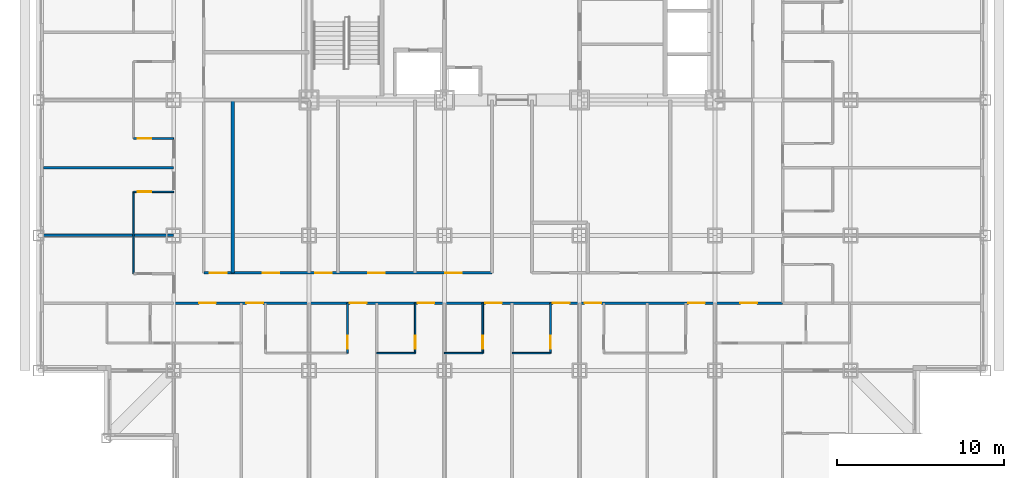
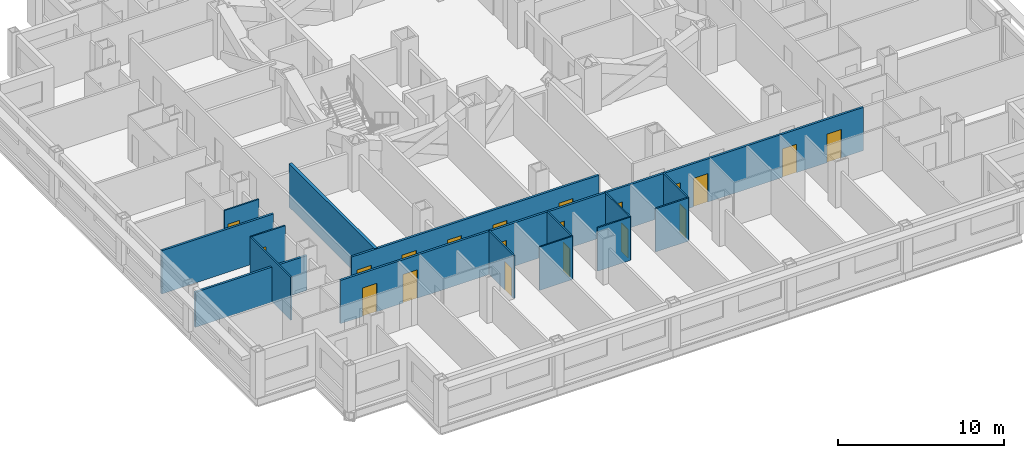
# One storey, part 4 of 12: 20 doors, 15 walls, 20 openings.
"""IFC4 building model written with IfcOpenShell, lengths in metres."""

from ifc_helpers import new_model, si_unit, direction, frame, frame_2d, origin, place, context, subcontext, project, spatial, rectangle, extrude, material, layer, layer_set, type_object, element, fill, save


model = new_model("IFC4")

# Units and contexts
model_context = context("Model", 3, precision=1e-05, world=origin(), true_north=direction((0.0, 1.0)))
body_context = subcontext(model_context, "Body", "Model", "MODEL_VIEW")
ifc_project = project(units=[si_unit("LENGTHUNIT", "METRE"), si_unit("AREAUNIT", "SQUARE_METRE"), si_unit("VOLUMEUNIT", "CUBIC_METRE"), si_unit("PLANEANGLEUNIT", "RADIAN"), si_unit("MASSUNIT", "GRAM", prefix="KILO")], contexts=[model_context])

# Site, building, storey
site_placement = place(None, origin())
site = spatial("IfcSite", under=ifc_project, at=site_placement, CompositionType="ELEMENT")
building_placement = place(site_placement, origin())
building = spatial("IfcBuilding", under=site, at=building_placement, Name="Kopane Lantern Tower", CompositionType="ELEMENT")
storey_placement = place(building_placement, frame((0.0, 0.0, 70.39990234375)))
storey = spatial("IfcBuildingStorey", under=building, at=storey_placement, Name="L17", CompositionType="ELEMENT", Elevation=70.39990234375)

# Wall, opening, door
ifc_material_1 = material(Name="Moisture-resistant board on steel studs", Category="steel")
ifc_layer_1 = layer(ifc_material_1, 0.10009765625)
ifc_layer_set_1 = layer_set([ifc_layer_1], Name="BATHROOM WALL 100")
wall_type_1 = type_object("IfcWallType", Name="BATHROOM WALL 100", PredefinedType="PARTITIONING", material=ifc_layer_set_1)
wall_1_placement = place(storey_placement, frame((18.5, 12.14990234375, 0.0), z_axis=(0.0, 0.0, 1.0), x_axis=(0.0, -1.0, 0.0)))
wall_1 = element("IfcWall", 1, at=wall_1_placement, inside=storey, type_object=wall_type_1, Name="Bathroom Wall 100 L17", PredefinedType="PARTITIONING", context=body_context, shape_type="SweptSolid", body=[
    extrude(rectangle(XDim=3.0, YDim=0.10009765625, at=frame_2d((1.5, 0.0))), origin(), (0.0, 0.0, 1.0), 3.190185546875),
])
opening_1_placement = place(wall_1_placement, frame((1.949951171875, 0.0, 0.0)))
opening_1 = element("IfcOpeningElement", 2, at=opening_1_placement, cuts=wall_1, Name="Opening L17-017", PredefinedType="OPENING", context=body_context, shape_type="SweptSolid", body=[
    extrude(rectangle(XDim=0.800048828125, YDim=2.10009765625, at=frame_2d((0.39990234375, 1.050048828125))), frame((0.0, 0.06005859375, 0.0), z_axis=(0.0, -1.0, 0.0), x_axis=(1.0, 0.0, 0.0)), (0.0, 0.0, 1.0), 0.1201171875),
])
ifc_material_2 = material(Name="Timber door set", Category="wood")
door_type_1 = type_object("IfcDoorType", Name="DOOR D2 800x2100", OperationType="SINGLE_SWING_LEFT", PredefinedType="DOOR", material=ifc_material_2)
door_1_placement = place(opening_1_placement, origin())
door_1 = element("IfcDoor", 3, at=door_1_placement, inside=storey, type_object=door_type_1, Name="Door L17-017", OperationType="SINGLE_SWING_LEFT", OverallHeight=2.10009765625, OverallWidth=0.800048828125, PredefinedType="DOOR", context=body_context, shape_type="SweptSolid", body=[
    extrude(rectangle(XDim=0.800048828125, YDim=2.10009765625, at=frame_2d((0.39990234375, 1.050048828125))), frame((0.0, 0.02490234375, 0.0), z_axis=(0.0, -1.0, 0.0), x_axis=(1.0, 0.0, 0.0)), (0.0, 0.0, 1.0), 0.050048828125),
])
fill(opening_1, door_1)

# Wall
wall_2_placement = place(storey_placement, frame((20.25, 9.14990234375, 0.0), z_axis=(0.0, 0.0, 1.0), x_axis=(1.0, 0.0, 0.0)))
element("IfcWall", 4, at=wall_2_placement, inside=storey, type_object=wall_type_1, Name="Bathroom Wall 100 L17", PredefinedType="PARTITIONING", context=body_context, shape_type="SweptSolid", body=[
    extrude(rectangle(XDim=2.300048828125, YDim=0.10009765625, at=frame_2d((1.14990234375, 0.0))), origin(), (0.0, 0.0, 1.0), 3.190185546875),
])

# Wall, opening, door
wall_3_placement = place(storey_placement, frame((22.550048828125, 12.14990234375, 0.0), z_axis=(0.0, 0.0, 1.0), x_axis=(0.0, -1.0, 0.0)))
wall_3 = element("IfcWall", 5, at=wall_3_placement, inside=storey, type_object=wall_type_1, Name="Bathroom Wall 100 L17", PredefinedType="PARTITIONING", context=body_context, shape_type="SweptSolid", body=[
    extrude(rectangle(XDim=3.0, YDim=0.10009765625, at=frame_2d((1.5, 0.0))), origin(), (0.0, 0.0, 1.0), 3.190185546875),
])
opening_2_placement = place(wall_3_placement, frame((1.949951171875, 0.0, 0.0)))
opening_2 = element("IfcOpeningElement", 6, at=opening_2_placement, cuts=wall_3, Name="Opening L17-019", PredefinedType="OPENING", context=body_context, shape_type="SweptSolid", body=[
    extrude(rectangle(XDim=0.800048828125, YDim=2.10009765625, at=frame_2d((0.39990234375, 1.050048828125))), frame((0.0, 0.06005859375, 0.0), z_axis=(0.0, -1.0, 0.0), x_axis=(1.0, 0.0, 0.0)), (0.0, 0.0, 1.0), 0.1201171875),
])
door_2_placement = place(opening_2_placement, origin())
door_2 = element("IfcDoor", 7, at=door_2_placement, inside=storey, type_object=door_type_1, Name="Door L17-019", OperationType="SINGLE_SWING_LEFT", OverallHeight=2.10009765625, OverallWidth=0.800048828125, PredefinedType="DOOR", context=body_context, shape_type="SweptSolid", body=[
    extrude(rectangle(XDim=0.800048828125, YDim=2.10009765625, at=frame_2d((0.39990234375, 1.050048828125))), frame((0.0, 0.02490234375, 0.0), z_axis=(0.0, -1.0, 0.0), x_axis=(1.0, 0.0, 0.0)), (0.0, 0.0, 1.0), 0.050048828125),
])
fill(opening_2, door_2)

# Wall
wall_4_placement = place(storey_placement, frame((24.300048828125, 9.14990234375, 0.0), z_axis=(0.0, 0.0, 1.0), x_axis=(1.0, 0.0, 0.0)))
element("IfcWall", 8, at=wall_4_placement, inside=storey, type_object=wall_type_1, Name="Bathroom Wall 100 L17", PredefinedType="PARTITIONING", context=body_context, shape_type="SweptSolid", body=[
    extrude(rectangle(XDim=2.300048828125, YDim=0.10009765625, at=frame_2d((1.14990234375, 0.0))), origin(), (0.0, 0.0, 1.0), 3.190185546875),
])

# Wall, opening, door
wall_5_placement = place(storey_placement, frame((26.60009765625, 12.14990234375, 0.0), z_axis=(0.0, 0.0, 1.0), x_axis=(0.0, -1.0, 0.0)))
wall_5 = element("IfcWall", 9, at=wall_5_placement, inside=storey, type_object=wall_type_1, Name="Bathroom Wall 100 L17", PredefinedType="PARTITIONING", context=body_context, shape_type="SweptSolid", body=[
    extrude(rectangle(XDim=3.0, YDim=0.10009765625, at=frame_2d((1.5, 0.0))), origin(), (0.0, 0.0, 1.0), 3.190185546875),
])
opening_3_placement = place(wall_5_placement, frame((1.949951171875, 0.0, 0.0)))
opening_3 = element("IfcOpeningElement", 10, at=opening_3_placement, cuts=wall_5, Name="Opening L17-021", PredefinedType="OPENING", context=body_context, shape_type="SweptSolid", body=[
    extrude(rectangle(XDim=0.800048828125, YDim=2.10009765625, at=frame_2d((0.39990234375, 1.050048828125))), frame((0.0, 0.06005859375, 0.0), z_axis=(0.0, -1.0, 0.0), x_axis=(1.0, 0.0, 0.0)), (0.0, 0.0, 1.0), 0.1201171875),
])
door_3_placement = place(opening_3_placement, origin())
door_3 = element("IfcDoor", 11, at=door_3_placement, inside=storey, type_object=door_type_1, Name="Door L17-021", OperationType="SINGLE_SWING_LEFT", OverallHeight=2.10009765625, OverallWidth=0.800048828125, PredefinedType="DOOR", context=body_context, shape_type="SweptSolid", body=[
    extrude(rectangle(XDim=0.800048828125, YDim=2.10009765625, at=frame_2d((0.39990234375, 1.050048828125))), frame((0.0, 0.02490234375, 0.0), z_axis=(0.0, -1.0, 0.0), x_axis=(1.0, 0.0, 0.0)), (0.0, 0.0, 1.0), 0.050048828125),
])
fill(opening_3, door_3)

# Wall
wall_6_placement = place(storey_placement, frame((28.35009765625, 9.14990234375, 0.0), z_axis=(0.0, 0.0, 1.0), x_axis=(1.0, 0.0, 0.0)))
element("IfcWall", 12, at=wall_6_placement, inside=storey, type_object=wall_type_1, Name="Bathroom Wall 100 L17", PredefinedType="PARTITIONING", context=body_context, shape_type="SweptSolid", body=[
    extrude(rectangle(XDim=2.2998046875, YDim=0.10009765625, at=frame_2d((1.14990234375, 0.0))), origin(), (0.0, 0.0, 1.0), 3.190185546875),
])

# Wall, opening, door
wall_7_placement = place(storey_placement, frame((30.64990234375, 12.14990234375, 0.0), z_axis=(0.0, 0.0, 1.0), x_axis=(0.0, -1.0, 0.0)))
wall_7 = element("IfcWall", 13, at=wall_7_placement, inside=storey, type_object=wall_type_1, Name="Bathroom Wall 100 L17", PredefinedType="PARTITIONING", context=body_context, shape_type="SweptSolid", body=[
    extrude(rectangle(XDim=3.0, YDim=0.10009765625, at=frame_2d((1.5, 0.0))), origin(), (0.0, 0.0, 1.0), 3.190185546875),
])
opening_4_placement = place(wall_7_placement, frame((1.949951171875, 0.0, 0.0)))
opening_4 = element("IfcOpeningElement", 14, at=opening_4_placement, cuts=wall_7, Name="Opening L17-023", PredefinedType="OPENING", context=body_context, shape_type="SweptSolid", body=[
    extrude(rectangle(XDim=0.800048828125, YDim=2.10009765625, at=frame_2d((0.39990234375, 1.050048828125))), frame((0.0, 0.06005859375, 0.0), z_axis=(0.0, -1.0, 0.0), x_axis=(1.0, 0.0, 0.0)), (0.0, 0.0, 1.0), 0.1201171875),
])
door_4_placement = place(opening_4_placement, origin())
door_4 = element("IfcDoor", 15, at=door_4_placement, inside=storey, type_object=door_type_1, Name="Door L17-023", OperationType="SINGLE_SWING_LEFT", OverallHeight=2.10009765625, OverallWidth=0.800048828125, PredefinedType="DOOR", context=body_context, shape_type="SweptSolid", body=[
    extrude(rectangle(XDim=0.800048828125, YDim=2.10009765625, at=frame_2d((0.39990234375, 1.050048828125))), frame((0.0, 0.02490234375, 0.0), z_axis=(0.0, -1.0, 0.0), x_axis=(1.0, 0.0, 0.0)), (0.0, 0.0, 1.0), 0.050048828125),
])
fill(opening_4, door_4)

# Wall
wall_8_placement = place(storey_placement, frame((5.699951171875, 13.89990234375, 0.0), z_axis=(0.0, 0.0, 1.0), x_axis=(0.0, 1.0, 0.0)))
element("IfcWall", 16, at=wall_8_placement, inside=storey, type_object=wall_type_1, Name="Bathroom Wall 100 L17", PredefinedType="PARTITIONING", context=body_context, shape_type="SweptSolid", body=[
    extrude(rectangle(XDim=4.900146484375, YDim=0.10009765625, at=frame_2d((2.4501953125, 0.0))), origin(), (0.0, 0.0, 1.0), 3.190185546875),
])

# Wall, opening, door
wall_9_placement = place(storey_placement, frame((8.10009765625, 18.800048828125, 0.0), z_axis=(0.0, 0.0, 1.0), x_axis=(-1.0, 0.0, 0.0)))
wall_9 = element("IfcWall", 17, at=wall_9_placement, inside=storey, type_object=wall_type_1, Name="Bathroom Wall 100 L17", PredefinedType="PARTITIONING", context=body_context, shape_type="SweptSolid", body=[
    extrude(rectangle(XDim=2.400146484375, YDim=0.10009765625, at=frame_2d((1.2001953125, 0.0))), origin(), (0.0, 0.0, 1.0), 3.190185546875),
])
opening_5_placement = place(wall_9_placement, frame((1.35009765625, 0.0, 0.0)))
opening_5 = element("IfcOpeningElement", 18, at=opening_5_placement, cuts=wall_9, Name="Opening L17-043", PredefinedType="OPENING", context=body_context, shape_type="SweptSolid", body=[
    extrude(rectangle(XDim=0.800048828125, YDim=2.10009765625, at=frame_2d((0.39990234375, 1.050048828125))), frame((0.0, 0.06005859375, 0.0), z_axis=(0.0, -1.0, 0.0), x_axis=(1.0, 0.0, 0.0)), (0.0, 0.0, 1.0), 0.1201171875),
])
door_5_placement = place(opening_5_placement, origin())
door_5 = element("IfcDoor", 19, at=door_5_placement, inside=storey, type_object=door_type_1, Name="Door L17-043", OperationType="SINGLE_SWING_RIGHT", OverallHeight=2.10009765625, OverallWidth=0.800048828125, PredefinedType="DOOR", context=body_context, shape_type="SweptSolid", body=[
    extrude(rectangle(XDim=0.800048828125, YDim=2.10009765625, at=frame_2d((0.39990234375, 1.050048828125))), frame((0.0, 0.02490234375, 0.0), z_axis=(0.0, -1.0, 0.0), x_axis=(1.0, 0.0, 0.0)), (0.0, 0.0, 1.0), 0.050048828125),
])
fill(opening_5, door_5)

wall_10_placement = place(storey_placement, frame((8.10009765625, 22.0, 0.0), z_axis=(0.0, 0.0, 1.0), x_axis=(-1.0, 0.0, 0.0)))
wall_10 = element("IfcWall", 20, at=wall_10_placement, inside=storey, type_object=wall_type_1, Name="Bathroom Wall 100 L17", PredefinedType="PARTITIONING", context=body_context, shape_type="SweptSolid", body=[
    extrude(rectangle(XDim=2.400146484375, YDim=0.10009765625, at=frame_2d((1.2001953125, 0.0))), origin(), (0.0, 0.0, 1.0), 3.190185546875),
])
opening_6_placement = place(wall_10_placement, frame((1.35009765625, 0.0, 0.0)))
opening_6 = element("IfcOpeningElement", 21, at=opening_6_placement, cuts=wall_10, Name="Opening L17-045", PredefinedType="OPENING", context=body_context, shape_type="SweptSolid", body=[
    extrude(rectangle(XDim=0.800048828125, YDim=2.10009765625, at=frame_2d((0.39990234375, 1.050048828125))), frame((0.0, 0.06005859375, 0.0), z_axis=(0.0, -1.0, 0.0), x_axis=(1.0, 0.0, 0.0)), (0.0, 0.0, 1.0), 0.1201171875),
])
door_6_placement = place(opening_6_placement, origin())
door_6 = element("IfcDoor", 22, at=door_6_placement, inside=storey, type_object=door_type_1, Name="Door L17-045", OperationType="SINGLE_SWING_LEFT", OverallHeight=2.10009765625, OverallWidth=0.800048828125, PredefinedType="DOOR", context=body_context, shape_type="SweptSolid", body=[
    extrude(rectangle(XDim=0.800048828125, YDim=2.10009765625, at=frame_2d((0.39990234375, 1.050048828125))), frame((0.0, 0.02490234375, 0.0), z_axis=(0.0, -1.0, 0.0), x_axis=(1.0, 0.0, 0.0)), (0.0, 0.0, 1.0), 0.050048828125),
])
fill(opening_6, door_6)

# Wall, openings, doors
ifc_material_3 = material(Name="Gypsum board on steel studs", Category="steel")
ifc_layer_2 = layer(ifc_material_3, 0.14990234375)
ifc_layer_set_2 = layer_set([ifc_layer_2], Name="CORRIDOR WALL 150 EI 60")
wall_type_2 = type_object("IfcWallType", Name="CORRIDOR WALL 150 EI 60", PredefinedType="PARTITIONING", material=ifc_layer_set_2)
wall_11_placement = place(storey_placement, frame((8.10009765625, 12.14990234375, 0.0), z_axis=(0.0, 0.0, 1.0), x_axis=(1.0, 0.0, 0.0)))
wall_11 = element("IfcWall", 23, at=wall_11_placement, inside=storey, type_object=wall_type_2, Name="Corridor Wall 150 Ei 60 L17", PredefinedType="PARTITIONING", context=body_context, shape_type="SweptSolid", body=[
    extrude(rectangle(XDim=36.449951171875, YDim=0.14990234375, at=frame_2d((18.22509765625, 0.0))), origin(), (0.0, 0.0, 1.0), 3.190185546875),
])
opening_7_placement = place(wall_11_placement, frame((4.35009765625, 0.0, 0.0)))
opening_7 = element("IfcOpeningElement", 24, at=opening_7_placement, cuts=wall_11, Name="Opening L17-016", PredefinedType="OPENING", context=body_context, shape_type="SweptSolid", body=[
    extrude(rectangle(XDim=1.0, YDim=2.10009765625, at=frame_2d((0.5, 1.050048828125))), frame((0.0, 0.0849609375, 0.0), z_axis=(0.0, -1.0, 0.0), x_axis=(1.0, 0.0, 0.0)), (0.0, 0.0, 1.0), 0.169921875),
])
opening_8_placement = place(wall_11_placement, frame((10.550048828125, 0.0, 0.0)))
opening_8 = element("IfcOpeningElement", 25, at=opening_8_placement, cuts=wall_11, Name="Opening L17-018", PredefinedType="OPENING", context=body_context, shape_type="SweptSolid", body=[
    extrude(rectangle(XDim=1.0, YDim=2.10009765625, at=frame_2d((0.5, 1.050048828125))), frame((0.0, 0.0849609375, 0.0), z_axis=(0.0, -1.0, 0.0), x_axis=(1.0, 0.0, 0.0)), (0.0, 0.0, 1.0), 0.169921875),
])
opening_9_placement = place(wall_11_placement, frame((14.60009765625, 0.0, 0.0)))
opening_9 = element("IfcOpeningElement", 26, at=opening_9_placement, cuts=wall_11, Name="Opening L17-020", PredefinedType="OPENING", context=body_context, shape_type="SweptSolid", body=[
    extrude(rectangle(XDim=1.0, YDim=2.10009765625, at=frame_2d((0.5, 1.050048828125))), frame((0.0, 0.0849609375, 0.0), z_axis=(0.0, -1.0, 0.0), x_axis=(1.0, 0.0, 0.0)), (0.0, 0.0, 1.0), 0.169921875),
])
opening_10_placement = place(wall_11_placement, frame((18.64990234375, 0.0, 0.0)))
opening_10 = element("IfcOpeningElement", 27, at=opening_10_placement, cuts=wall_11, Name="Opening L17-022", PredefinedType="OPENING", context=body_context, shape_type="SweptSolid", body=[
    extrude(rectangle(XDim=1.0, YDim=2.10009765625, at=frame_2d((0.5, 1.050048828125))), frame((0.0, 0.0849609375, 0.0), z_axis=(0.0, -1.0, 0.0), x_axis=(1.0, 0.0, 0.0)), (0.0, 0.0, 1.0), 0.169921875),
])
opening_11_placement = place(wall_11_placement, frame((22.699951171875, 0.0, 0.0)))
opening_11 = element("IfcOpeningElement", 28, at=opening_11_placement, cuts=wall_11, Name="Opening L17-024", PredefinedType="OPENING", context=body_context, shape_type="SweptSolid", body=[
    extrude(rectangle(XDim=1.0, YDim=2.10009765625, at=frame_2d((0.5, 1.050048828125))), frame((0.0, 0.0849609375, 0.0), z_axis=(0.0, -1.0, 0.0), x_axis=(1.0, 0.0, 0.0)), (0.0, 0.0, 1.0), 0.169921875),
])
opening_12_placement = place(wall_11_placement, frame((24.60009765625, 0.0, 0.0)))
opening_12 = element("IfcOpeningElement", 29, at=opening_12_placement, cuts=wall_11, Name="Opening L17-026", PredefinedType="OPENING", context=body_context, shape_type="SweptSolid", body=[
    extrude(rectangle(XDim=1.0, YDim=2.10009765625, at=frame_2d((0.5, 1.050048828125))), frame((0.0, 0.0849609375, 0.0), z_axis=(0.0, -1.0, 0.0), x_axis=(1.0, 0.0, 0.0)), (0.0, 0.0, 1.0), 0.169921875),
])
opening_13_placement = place(wall_11_placement, frame((30.800048828125, 0.0, 0.0)))
opening_13 = element("IfcOpeningElement", 30, at=opening_13_placement, cuts=wall_11, Name="Opening L17-028", PredefinedType="OPENING", context=body_context, shape_type="SweptSolid", body=[
    extrude(rectangle(XDim=1.0, YDim=2.10009765625, at=frame_2d((0.5, 1.050048828125))), frame((0.0, 0.0849609375, 0.0), z_axis=(0.0, -1.0, 0.0), x_axis=(1.0, 0.0, 0.0)), (0.0, 0.0, 1.0), 0.169921875),
])
opening_14_placement = place(wall_11_placement, frame((1.52490234375, 0.0, 0.0)))
opening_14 = element("IfcOpeningElement", 31, at=opening_14_placement, cuts=wall_11, Name="Opening L17-067", PredefinedType="OPENING", context=body_context, shape_type="SweptSolid", body=[
    extrude(rectangle(XDim=1.0, YDim=2.10009765625, at=frame_2d((0.5, 1.050048828125))), frame((0.0, 0.0849609375, 0.0), z_axis=(0.0, -1.0, 0.0), x_axis=(1.0, 0.0, 0.0)), (0.0, 0.0, 1.0), 0.169921875),
])
opening_15_placement = place(wall_11_placement, frame((33.925048828125, 0.0, 0.0)))
opening_15 = element("IfcOpeningElement", 32, at=opening_15_placement, cuts=wall_11, Name="Opening L17-072", PredefinedType="OPENING", context=body_context, shape_type="SweptSolid", body=[
    extrude(rectangle(XDim=1.0, YDim=2.10009765625, at=frame_2d((0.5, 1.050048828125))), frame((0.0, 0.0849609375, 0.0), z_axis=(0.0, -1.0, 0.0), x_axis=(1.0, 0.0, 0.0)), (0.0, 0.0, 1.0), 0.169921875),
])
ifc_material_4 = material(Name="Steel door set", Category="steel")
door_type_2 = type_object("IfcDoorType", Name="DOOR D1 1000x2100 FD30S", OperationType="SINGLE_SWING_LEFT", PredefinedType="DOOR", material=ifc_material_4)
door_7_placement = place(opening_7_placement, origin())
door_7 = element("IfcDoor", 33, at=door_7_placement, inside=storey, type_object=door_type_2, Name="Door L17-016", OperationType="SINGLE_SWING_LEFT", OverallHeight=2.10009765625, OverallWidth=1.0, PredefinedType="DOOR", context=body_context, shape_type="SweptSolid", body=[
    extrude(rectangle(XDim=1.0, YDim=2.10009765625, at=frame_2d((0.5, 1.050048828125))), frame((0.0, 0.02490234375, 0.0), z_axis=(0.0, -1.0, 0.0), x_axis=(1.0, 0.0, 0.0)), (0.0, 0.0, 1.0), 0.050048828125),
])
fill(opening_7, door_7)
door_8_placement = place(opening_8_placement, origin())
door_8 = element("IfcDoor", 34, at=door_8_placement, inside=storey, type_object=door_type_2, Name="Door L17-018", OperationType="SINGLE_SWING_RIGHT", OverallHeight=2.10009765625, OverallWidth=1.0, PredefinedType="DOOR", context=body_context, shape_type="SweptSolid", body=[
    extrude(rectangle(XDim=1.0, YDim=2.10009765625, at=frame_2d((0.5, 1.050048828125))), frame((0.0, 0.02490234375, 0.0), z_axis=(0.0, -1.0, 0.0), x_axis=(1.0, 0.0, 0.0)), (0.0, 0.0, 1.0), 0.050048828125),
])
fill(opening_8, door_8)
door_9_placement = place(opening_9_placement, origin())
door_9 = element("IfcDoor", 35, at=door_9_placement, inside=storey, type_object=door_type_2, Name="Door L17-020", OperationType="SINGLE_SWING_RIGHT", OverallHeight=2.10009765625, OverallWidth=1.0, PredefinedType="DOOR", context=body_context, shape_type="SweptSolid", body=[
    extrude(rectangle(XDim=1.0, YDim=2.10009765625, at=frame_2d((0.5, 1.050048828125))), frame((0.0, 0.02490234375, 0.0), z_axis=(0.0, -1.0, 0.0), x_axis=(1.0, 0.0, 0.0)), (0.0, 0.0, 1.0), 0.050048828125),
])
fill(opening_9, door_9)
door_10_placement = place(opening_10_placement, origin())
door_10 = element("IfcDoor", 36, at=door_10_placement, inside=storey, type_object=door_type_2, Name="Door L17-022", OperationType="SINGLE_SWING_RIGHT", OverallHeight=2.10009765625, OverallWidth=1.0, PredefinedType="DOOR", context=body_context, shape_type="SweptSolid", body=[
    extrude(rectangle(XDim=1.0, YDim=2.10009765625, at=frame_2d((0.5, 1.050048828125))), frame((0.0, 0.02490234375, 0.0), z_axis=(0.0, -1.0, 0.0), x_axis=(1.0, 0.0, 0.0)), (0.0, 0.0, 1.0), 0.050048828125),
])
fill(opening_10, door_10)
door_11_placement = place(opening_11_placement, origin())
door_11 = element("IfcDoor", 37, at=door_11_placement, inside=storey, type_object=door_type_2, Name="Door L17-024", OperationType="SINGLE_SWING_RIGHT", OverallHeight=2.10009765625, OverallWidth=1.0, PredefinedType="DOOR", context=body_context, shape_type="SweptSolid", body=[
    extrude(rectangle(XDim=1.0, YDim=2.10009765625, at=frame_2d((0.5, 1.050048828125))), frame((0.0, 0.02490234375, 0.0), z_axis=(0.0, -1.0, 0.0), x_axis=(1.0, 0.0, 0.0)), (0.0, 0.0, 1.0), 0.050048828125),
])
fill(opening_11, door_11)
door_12_placement = place(opening_12_placement, origin())
door_12 = element("IfcDoor", 38, at=door_12_placement, inside=storey, type_object=door_type_2, Name="Door L17-026", OperationType="SINGLE_SWING_LEFT", OverallHeight=2.10009765625, OverallWidth=1.0, PredefinedType="DOOR", context=body_context, shape_type="SweptSolid", body=[
    extrude(rectangle(XDim=1.0, YDim=2.10009765625, at=frame_2d((0.5, 1.050048828125))), frame((0.0, 0.02490234375, 0.0), z_axis=(0.0, -1.0, 0.0), x_axis=(1.0, 0.0, 0.0)), (0.0, 0.0, 1.0), 0.050048828125),
])
fill(opening_12, door_12)
door_13_placement = place(opening_13_placement, origin())
door_13 = element("IfcDoor", 39, at=door_13_placement, inside=storey, type_object=door_type_2, Name="Door L17-028", OperationType="SINGLE_SWING_RIGHT", OverallHeight=2.10009765625, OverallWidth=1.0, PredefinedType="DOOR", context=body_context, shape_type="SweptSolid", body=[
    extrude(rectangle(XDim=1.0, YDim=2.10009765625, at=frame_2d((0.5, 1.050048828125))), frame((0.0, 0.02490234375, 0.0), z_axis=(0.0, -1.0, 0.0), x_axis=(1.0, 0.0, 0.0)), (0.0, 0.0, 1.0), 0.050048828125),
])
fill(opening_13, door_13)
door_14_placement = place(opening_14_placement, origin())
door_14 = element("IfcDoor", 40, at=door_14_placement, inside=storey, type_object=door_type_2, Name="Door L17-067", OperationType="SINGLE_SWING_LEFT", OverallHeight=2.10009765625, OverallWidth=1.0, PredefinedType="DOOR", context=body_context, shape_type="SweptSolid", body=[
    extrude(rectangle(XDim=1.0, YDim=2.10009765625, at=frame_2d((0.5, 1.050048828125))), frame((0.0, 0.02490234375, 0.0), z_axis=(0.0, -1.0, 0.0), x_axis=(1.0, 0.0, 0.0)), (0.0, 0.0, 1.0), 0.050048828125),
])
fill(opening_14, door_14)
door_15_placement = place(opening_15_placement, origin())
door_15 = element("IfcDoor", 41, at=door_15_placement, inside=storey, type_object=door_type_2, Name="Door L17-072", OperationType="SINGLE_SWING_RIGHT", OverallHeight=2.10009765625, OverallWidth=1.0, PredefinedType="DOOR", context=body_context, shape_type="SweptSolid", body=[
    extrude(rectangle(XDim=1.0, YDim=2.10009765625, at=frame_2d((0.5, 1.050048828125))), frame((0.0, 0.02490234375, 0.0), z_axis=(0.0, -1.0, 0.0), x_axis=(1.0, 0.0, 0.0)), (0.0, 0.0, 1.0), 0.050048828125),
])
fill(opening_15, door_15)

wall_12_placement = place(storey_placement, frame((9.89990234375, 13.949951171875, 0.0), z_axis=(0.0, 0.0, 1.0), x_axis=(1.0, 0.0, 0.0)))
wall_12 = element("IfcWall", 42, at=wall_12_placement, inside=storey, type_object=wall_type_2, Name="Corridor Wall 150 Ei 60 L17", PredefinedType="PARTITIONING", context=body_context, shape_type="SweptSolid", body=[
    extrude(rectangle(XDim=17.239990234375, YDim=0.14990234375, at=frame_2d((8.6201171875, 0.0))), origin(), (0.0, 0.0, 1.0), 3.190185546875),
])
opening_16_placement = place(wall_12_placement, frame((0.36962890625, 0.0, 0.0)))
opening_16 = element("IfcOpeningElement", 43, at=opening_16_placement, cuts=wall_12, Name="Opening L17-007", PredefinedType="OPENING", context=body_context, shape_type="SweptSolid", body=[
    extrude(rectangle(XDim=1.0, YDim=2.10009765625, at=frame_2d((0.5, 1.050048828125))), frame((0.0, 0.0849609375, 0.0), z_axis=(0.0, -1.0, 0.0), x_axis=(1.0, 0.0, 0.0)), (0.0, 0.0, 1.0), 0.169921875),
])
opening_17_placement = place(wall_12_placement, frame((3.51953125, 0.0, 0.0)))
opening_17 = element("IfcOpeningElement", 44, at=opening_17_placement, cuts=wall_12, Name="Opening L17-008", PredefinedType="OPENING", context=body_context, shape_type="SweptSolid", body=[
    extrude(rectangle(XDim=1.0, YDim=2.10009765625, at=frame_2d((0.5, 1.050048828125))), frame((0.0, 0.0849609375, 0.0), z_axis=(0.0, -1.0, 0.0), x_axis=(1.0, 0.0, 0.0)), (0.0, 0.0, 1.0), 0.169921875),
])
opening_18_placement = place(wall_12_placement, frame((6.669677734375, 0.0, 0.0)))
opening_18 = element("IfcOpeningElement", 45, at=opening_18_placement, cuts=wall_12, Name="Opening L17-009", PredefinedType="OPENING", context=body_context, shape_type="SweptSolid", body=[
    extrude(rectangle(XDim=1.0, YDim=2.10009765625, at=frame_2d((0.5, 1.050048828125))), frame((0.0, 0.0849609375, 0.0), z_axis=(0.0, -1.0, 0.0), x_axis=(1.0, 0.0, 0.0)), (0.0, 0.0, 1.0), 0.169921875),
])
opening_19_placement = place(wall_12_placement, frame((9.841796875, 0.0, 0.0)))
opening_19 = element("IfcOpeningElement", 46, at=opening_19_placement, cuts=wall_12, Name="Opening L17-010", PredefinedType="OPENING", context=body_context, shape_type="SweptSolid", body=[
    extrude(rectangle(XDim=1.0, YDim=2.10009765625, at=frame_2d((0.5, 1.050048828125))), frame((0.0, 0.0849609375, 0.0), z_axis=(0.0, -1.0, 0.0), x_axis=(1.0, 0.0, 0.0)), (0.0, 0.0, 1.0), 0.169921875),
])
opening_20_placement = place(wall_12_placement, frame((14.447265625, 0.0, 0.0)))
opening_20 = element("IfcOpeningElement", 47, at=opening_20_placement, cuts=wall_12, Name="Opening L17-011", PredefinedType="OPENING", context=body_context, shape_type="SweptSolid", body=[
    extrude(rectangle(XDim=1.0, YDim=2.10009765625, at=frame_2d((0.5, 1.050048828125))), frame((0.0, 0.0849609375, 0.0), z_axis=(0.0, -1.0, 0.0), x_axis=(1.0, 0.0, 0.0)), (0.0, 0.0, 1.0), 0.169921875),
])
ifc_material_5 = material(Name="Steel door set", Category="steel")
door_type_3 = type_object("IfcDoorType", Name="DOOR D5 1000x2100 FD60", OperationType="SINGLE_SWING_LEFT", PredefinedType="DOOR", material=ifc_material_5)
door_16_placement = place(opening_16_placement, origin())
door_16 = element("IfcDoor", 48, at=door_16_placement, inside=storey, type_object=door_type_3, Name="Door L17-007", OperationType="SINGLE_SWING_LEFT", OverallHeight=2.10009765625, OverallWidth=1.0, PredefinedType="DOOR", context=body_context, shape_type="SweptSolid", body=[
    extrude(rectangle(XDim=1.0, YDim=2.10009765625, at=frame_2d((0.5, 1.050048828125))), frame((0.0, 0.02490234375, 0.0), z_axis=(0.0, -1.0, 0.0), x_axis=(1.0, 0.0, 0.0)), (0.0, 0.0, 1.0), 0.050048828125),
])
fill(opening_16, door_16)
door_17_placement = place(opening_17_placement, origin())
door_17 = element("IfcDoor", 49, at=door_17_placement, inside=storey, type_object=door_type_3, Name="Door L17-008", OperationType="SINGLE_SWING_RIGHT", OverallHeight=2.10009765625, OverallWidth=1.0, PredefinedType="DOOR", context=body_context, shape_type="SweptSolid", body=[
    extrude(rectangle(XDim=1.0, YDim=2.10009765625, at=frame_2d((0.5, 1.050048828125))), frame((0.0, 0.02490234375, 0.0), z_axis=(0.0, -1.0, 0.0), x_axis=(1.0, 0.0, 0.0)), (0.0, 0.0, 1.0), 0.050048828125),
])
fill(opening_17, door_17)
door_18_placement = place(opening_18_placement, origin())
door_18 = element("IfcDoor", 50, at=door_18_placement, inside=storey, type_object=door_type_3, Name="Door L17-009", OperationType="SINGLE_SWING_LEFT", OverallHeight=2.10009765625, OverallWidth=1.0, PredefinedType="DOOR", context=body_context, shape_type="SweptSolid", body=[
    extrude(rectangle(XDim=1.0, YDim=2.10009765625, at=frame_2d((0.5, 1.050048828125))), frame((0.0, 0.02490234375, 0.0), z_axis=(0.0, -1.0, 0.0), x_axis=(1.0, 0.0, 0.0)), (0.0, 0.0, 1.0), 0.050048828125),
])
fill(opening_18, door_18)
door_19_placement = place(opening_19_placement, origin())
door_19 = element("IfcDoor", 51, at=door_19_placement, inside=storey, type_object=door_type_3, Name="Door L17-010", OperationType="SINGLE_SWING_RIGHT", OverallHeight=2.10009765625, OverallWidth=1.0, PredefinedType="DOOR", context=body_context, shape_type="SweptSolid", body=[
    extrude(rectangle(XDim=1.0, YDim=2.10009765625, at=frame_2d((0.5, 1.050048828125))), frame((0.0, 0.02490234375, 0.0), z_axis=(0.0, -1.0, 0.0), x_axis=(1.0, 0.0, 0.0)), (0.0, 0.0, 1.0), 0.050048828125),
])
fill(opening_19, door_19)
door_20_placement = place(opening_20_placement, origin())
door_20 = element("IfcDoor", 52, at=door_20_placement, inside=storey, type_object=door_type_3, Name="Door L17-011", OperationType="SINGLE_SWING_LEFT", OverallHeight=2.10009765625, OverallWidth=1.0, PredefinedType="DOOR", context=body_context, shape_type="SweptSolid", body=[
    extrude(rectangle(XDim=1.0, YDim=2.10009765625, at=frame_2d((0.5, 1.050048828125))), frame((0.0, 0.02490234375, 0.0), z_axis=(0.0, -1.0, 0.0), x_axis=(1.0, 0.0, 0.0)), (0.0, 0.0, 1.0), 0.050048828125),
])
fill(opening_20, door_20)

# Walls
ifc_material_6 = material(Name="Gypsum board on steel studs", Category="steel")
ifc_layer_3 = layer(ifc_material_6, 0.14990234375)
ifc_layer_set_3 = layer_set([ifc_layer_3], Name="DEMISING WALL 150 EI 60")
wall_type_3 = type_object("IfcWallType", Name="DEMISING WALL 150 EI 60", PredefinedType="PARTITIONING", material=ifc_layer_set_3)
wall_13_placement = place(storey_placement, frame((8.10009765625, 16.199951171875, 0.0), z_axis=(0.0, 0.0, 1.0), x_axis=(-1.0, 0.0, 0.0)))
element("IfcWall", 53, at=wall_13_placement, inside=storey, type_object=wall_type_3, Name="Demising Wall 150 Ei 60 L17", PredefinedType="PARTITIONING", context=body_context, shape_type="SweptSolid", body=[
    extrude(rectangle(XDim=7.800048828125, YDim=0.14990234375, at=frame_2d((3.89990234375, 0.0))), origin(), (0.0, 0.0, 1.0), 2.577880859375),
])
wall_14_placement = place(storey_placement, frame((8.10009765625, 20.25, 0.0), z_axis=(0.0, 0.0, 1.0), x_axis=(-1.0, 0.0, 0.0)))
element("IfcWall", 54, at=wall_14_placement, inside=storey, type_object=wall_type_3, Name="Demising Wall 150 Ei 60 L17", PredefinedType="PARTITIONING", context=body_context, shape_type="SweptSolid", body=[
    extrude(rectangle(XDim=7.800048828125, YDim=0.14990234375, at=frame_2d((3.89990234375, 0.0))), origin(), (0.0, 0.0, 1.0), 3.190185546875),
])
ifc_material_7 = material(Name="Concrete masonry", Category="masonry")
ifc_layer_4 = layer(ifc_material_7, 0.199951171875)
ifc_layer_set_4 = layer_set([ifc_layer_4], Name="PLANT ROOM WALL 200 EI 120")
wall_type_4 = type_object("IfcWallType", Name="PLANT ROOM WALL 200 EI 120", PredefinedType="SOLIDWALL", material=ifc_layer_set_4)
wall_15_placement = place(storey_placement, frame((11.63916015625, 13.949951171875, 0.0), z_axis=(0.0, 0.0, 1.0), x_axis=(0.0, 1.0, 0.0)))
element("IfcWall", 55, at=wall_15_placement, inside=storey, type_object=wall_type_4, Name="Plant Room Wall 200 Ei 120 L17", PredefinedType="SOLIDWALL", context=body_context, shape_type="SweptSolid", body=[
    extrude(rectangle(XDim=10.35009765625, YDim=0.199951171875, at=frame_2d((5.175048828125, 0.0))), origin(), (0.0, 0.0, 1.0), 3.190185546875),
])

save(model, "model.ifc")
